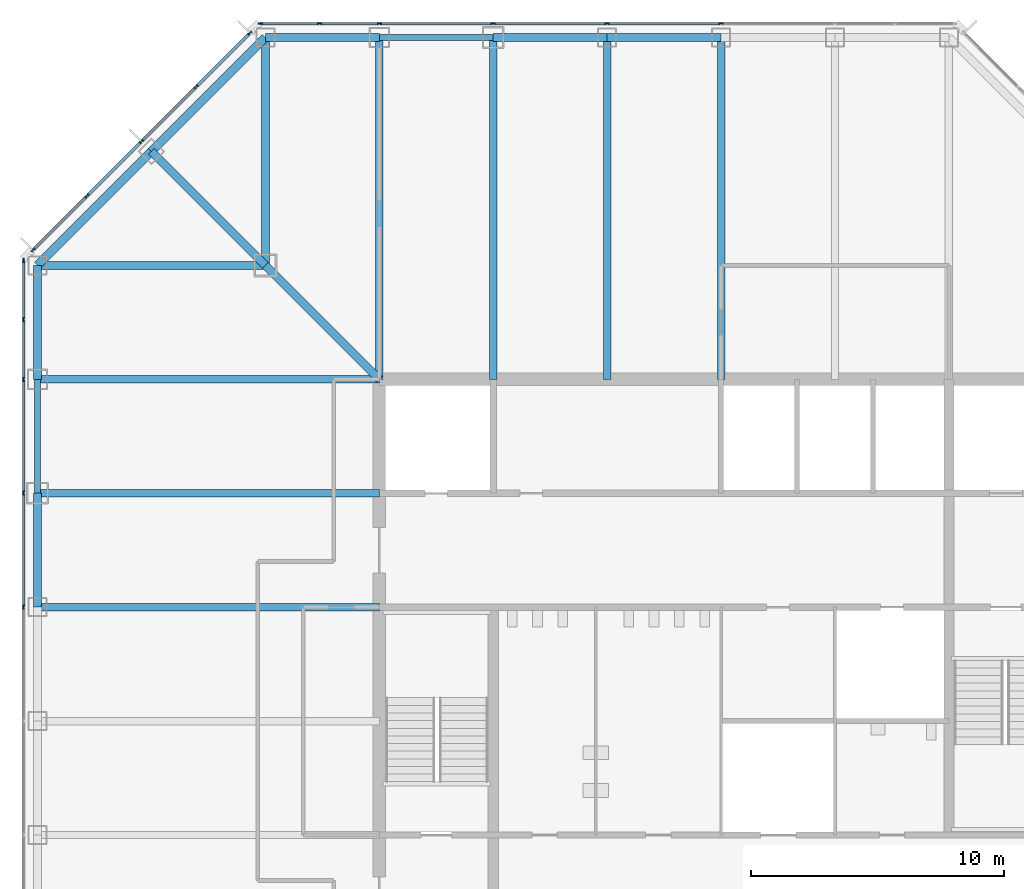
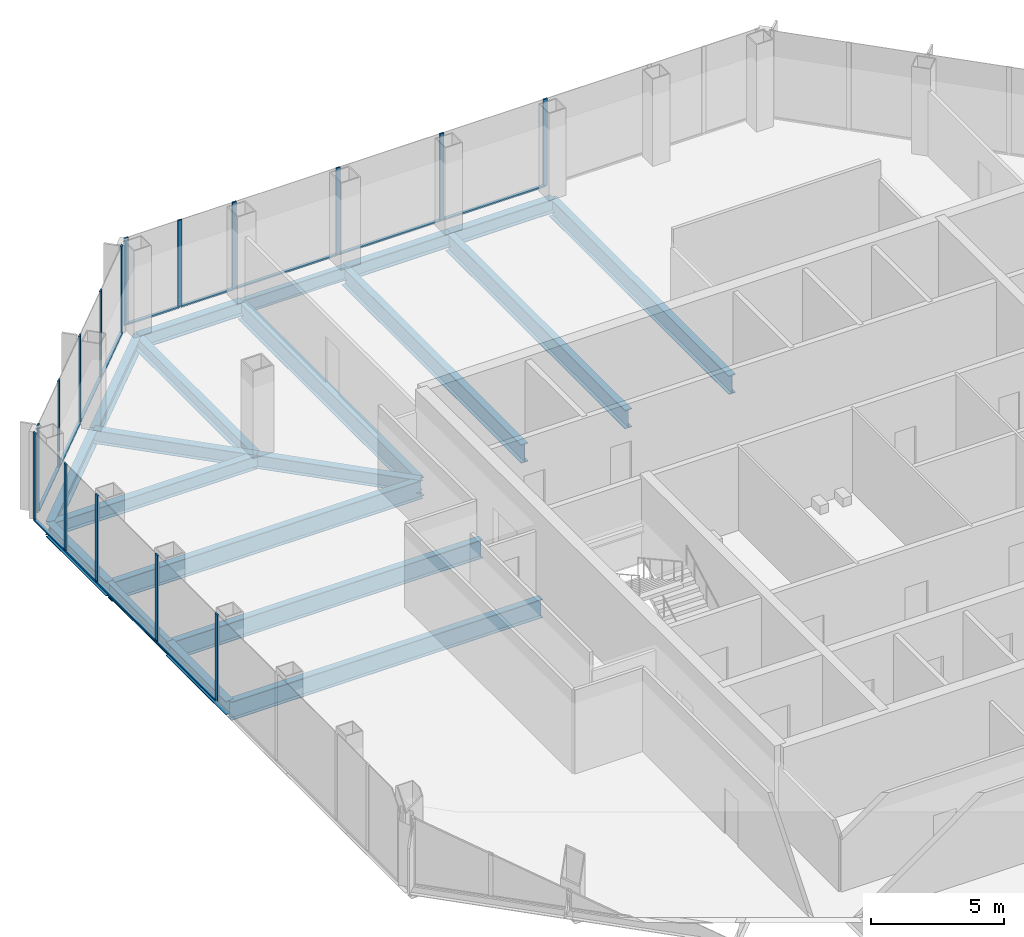
# One storey, part 5 of 12: 29 members, 20 beams, 3 elements without a shape of their own.
"""IFC4 building model written with IfcOpenShell, lengths in metres."""

from ifc_helpers import new_model, si_unit, direction, frame, origin, origin_2d, place, context, subcontext, project, spatial, rectangle, i_section, extrude, material, material_profile, profile_set, type_object, element, aggregate, save


model = new_model("IFC4")

# Units and contexts
model_context = context("Model", 3, precision=1e-05, world=origin(), true_north=direction((0.0, 1.0)))
body_context = subcontext(model_context, "Body", "Model", "MODEL_VIEW")
ifc_project = project(units=[si_unit("LENGTHUNIT", "METRE"), si_unit("AREAUNIT", "SQUARE_METRE"), si_unit("VOLUMEUNIT", "CUBIC_METRE"), si_unit("PLANEANGLEUNIT", "RADIAN"), si_unit("MASSUNIT", "GRAM", prefix="KILO")], contexts=[model_context])

# Site, building, storey
site_placement = place(None, origin())
site = spatial("IfcSite", under=ifc_project, at=site_placement, CompositionType="ELEMENT")
building_placement = place(site_placement, origin())
building = spatial("IfcBuilding", under=site, at=building_placement, Name="Corais Broadcast Tower", CompositionType="ELEMENT")
storey_placement = place(building_placement, frame((0.0, 0.0, 139.60009765625)))
storey = spatial("IfcBuildingStorey", under=building, at=storey_placement, Name="L31", CompositionType="ELEMENT", Elevation=139.60009765625)

# Beams
ifc_material_1 = material(Name="Steel ASTM A572 Grade 50", Category="steel")
ifc_material_profile_1 = material_profile(ifc_material_1, i_section(OverallWidth=0.323974609375, OverallDepth=0.611083984375, WebThickness=0.0126953125, FlangeThickness=0.01904296875, at=origin_2d()), Name="W610x155")
ifc_profile_set_1 = profile_set([ifc_material_profile_1], Name="Steel ASTM A572 Grade 50")
beam_type_1 = type_object("IfcBeamType", Name="Chamfer tie W610x155", PredefinedType="BEAM", material=ifc_profile_set_1)
beam_1_placement = place(storey_placement, frame((4.5, 49.5, -0.465576171875), z_axis=(0.707106781187, -0.707106781187, 0.0), x_axis=(0.707106781187, 0.707106781187, 0.0)))
element("IfcBeam", 1, at=beam_1_placement, inside=storey, type_object=beam_type_1, Name="B5 M/4 to L/5", PredefinedType="BEAM", context=body_context, shape_type="SweptSolid", body=[
    extrude(i_section(OverallWidth=0.323974609375, OverallDepth=0.611083984375, WebThickness=0.0126953125, FlangeThickness=0.01904296875, at=origin_2d()), origin(), (0.0, 0.0, 1.0), 6.364013671875),
])
ifc_material_2 = material(Name="Steel ASTM A572 Grade 50", Category="steel")
ifc_material_profile_2 = material_profile(ifc_material_2, i_section(OverallWidth=0.323974609375, OverallDepth=0.611083984375, WebThickness=0.0126953125, FlangeThickness=0.01904296875, at=origin_2d()), Name="W610x155")
ifc_profile_set_2 = profile_set([ifc_material_profile_2], Name="Steel ASTM A572 Grade 50")
beam_type_2 = type_object("IfcBeamType", Name="Corner diagonal W610x155", PredefinedType="BEAM", material=ifc_profile_set_2)
beam_2_placement = place(storey_placement, frame((9.0, 45.0, -0.465576171875), z_axis=(0.707106781187, -0.707106781187, 0.0), x_axis=(0.707106781187, 0.707106781187, 0.0)))
element("IfcBeam", 2, at=beam_2_placement, inside=storey, type_object=beam_type_2, Name="B6 L/5 to K/6", PredefinedType="BEAM", context=body_context, shape_type="SweptSolid", body=[
    extrude(i_section(OverallWidth=0.323974609375, OverallDepth=0.611083984375, WebThickness=0.0126953125, FlangeThickness=0.01904296875, at=origin_2d()), origin(), (0.0, 0.0, 1.0), 6.364013671875),
])
ifc_material_3 = material(Name="Steel ASTM A572 Grade 50", Category="steel")
ifc_material_profile_3 = material_profile(ifc_material_3, i_section(OverallWidth=0.323974609375, OverallDepth=0.611083984375, WebThickness=0.0126953125, FlangeThickness=0.01904296875, at=origin_2d()), Name="W610x155")
ifc_profile_set_3 = profile_set([ifc_material_profile_3], Name="Steel ASTM A572 Grade 50")
beam_type_3 = type_object("IfcBeamType", Name="Corner girder W610x155", PredefinedType="BEAM", material=ifc_profile_set_3)
for number, where, z_axis, x_axis, name in (
    (3, (0.0, 45.0, -0.465576171875), (1.0, 0.0, 0.0), (0.0, 1.0, 0.0), "B4 L/3 to L/5"),
    (4, (9.0, 54.0, -0.465576171875), (0.0, -1.0, 0.0), (1.0, 0.0, 0.0), "B4 N/5 to L/5"),
):
    element("IfcBeam", number, at=place(storey_placement, frame(where, z_axis=z_axis, x_axis=x_axis)), inside=storey, type_object=beam_type_3, Name=name, PredefinedType="BEAM", context=body_context, shape_type="SweptSolid", body=[
        extrude(i_section(OverallWidth=0.323974609375, OverallDepth=0.611083984375, WebThickness=0.0126953125, FlangeThickness=0.01904296875, at=origin_2d()), origin(), (0.0, 0.0, 1.0), 9.0),
    ])
ifc_material_4 = material(Name="Steel ASTM A572 Grade 50", Category="steel")
ifc_material_profile_4 = material_profile(ifc_material_4, i_section(OverallWidth=0.2939453125, OverallDepth=0.85107421875, WebThickness=0.01611328125, FlangeThickness=0.02685546875, at=origin_2d()), Name="W840x226")
ifc_profile_set_4 = profile_set([ifc_material_profile_4], Name="Steel ASTM A572 Grade 50")
beam_type_4 = type_object("IfcBeamType", Name="Floor beam W840x226", PredefinedType="BEAM", material=ifc_profile_set_4)
for number, where, z_axis, x_axis, name in (
    (5, (0.0, 31.5, -0.585693359375), (1.0, 0.0, 0.0), (0.0, 1.0, 0.0), "B1 H/3 to H/6"),
    (6, (0.0, 36.0, -0.585693359375), (1.0, 0.0, 0.0), (0.0, 1.0, 0.0), "B1 J/3 to J/6"),
    (7, (0.0, 40.5, -0.585693359375), (1.0, 0.0, 0.0), (0.0, 1.0, 0.0), "B1 K/3 to K/6"),
    (8, (13.5, 54.0, -0.585693359375), (0.0, -1.0, 0.0), (1.0, 0.0, 0.0), "B1 N/6 to K/6"),
    (9, (18.0, 54.0, -0.585693359375), (0.0, -1.0, 0.0), (1.0, 0.0, 0.0), "B1 N/7 to K/7"),
    (10, (22.5, 54.0, -0.585693359375), (0.0, -1.0, 0.0), (1.0, 0.0, 0.0), "B1 N/8 to K/8"),
    (11, (27.0, 54.0, -0.585693359375), (0.0, -1.0, 0.0), (1.0, 0.0, 0.0), "B1 N/9 to K/9"),
):
    element("IfcBeam", number, at=place(storey_placement, frame(where, z_axis=z_axis, x_axis=x_axis)), inside=storey, type_object=beam_type_4, Name=name, PredefinedType="BEAM", context=body_context, shape_type="SweptSolid", body=[
        extrude(i_section(OverallWidth=0.2939453125, OverallDepth=0.85107421875, WebThickness=0.01611328125, FlangeThickness=0.02685546875, at=origin_2d()), origin(), (0.0, 0.0, 1.0), 13.5),
    ])

# Curtain wall, members
ifc_material_5 = material(Name="Aluminium and glass", Category="aluminium")
curtain_wall_type = type_object("IfcCurtainWallType", Name="Unitised fritted curtain wall CW2", PredefinedType="NOTDEFINED", material=ifc_material_5)
curtain_wall_1_placement = place(storey_placement, origin())
curtain_wall_1 = element("IfcCurtainWall", 12, at=curtain_wall_1_placement, inside=storey, type_object=curtain_wall_type, Name="CW2 curtain wall L31 2", PredefinedType="NOTDEFINED")
ifc_material_6 = material(Name="Aluminium 6063-T6", Category="aluminium")
ifc_material_profile_5 = material_profile(ifc_material_6, rectangle(XDim=0.06494140625, YDim=0.179931640625, at=origin_2d()), Name="Mullion CW2 65x180")
ifc_profile_set_5 = profile_set([ifc_material_profile_5], Name="Aluminium 6063-T6")
member_type_1 = type_object("IfcMemberType", Name="Mullion CW2 65x180", PredefinedType="MULLION", material=ifc_profile_set_5)
member_1_placement = place(storey_placement, frame((-0.550048828125, 31.5, 0.0), z_axis=(0.0, 0.0, 1.0), x_axis=(-1.0, 0.0, 0.0)))
member_1 = element("IfcMember", 13, at=member_1_placement, type_object=member_type_1, Name="CW2 mullion 5", PredefinedType="MULLION", context=body_context, shape_type="SweptSolid", body=[
    extrude(rectangle(XDim=0.06494140625, YDim=0.179931640625, at=origin_2d()), origin(), (0.0, 0.0, 1.0), 4.0),
])
member_2_placement = place(storey_placement, frame((-0.550048828125, 36.0, 0.0), z_axis=(0.0, 0.0, 1.0), x_axis=(-1.0, 0.0, 0.0)))
member_2 = element("IfcMember", 14, at=member_2_placement, type_object=member_type_1, Name="CW2 mullion 6", PredefinedType="MULLION", context=body_context, shape_type="SweptSolid", body=[
    extrude(rectangle(XDim=0.06494140625, YDim=0.179931640625, at=origin_2d()), origin(), (0.0, 0.0, 1.0), 4.0),
])
member_3_placement = place(storey_placement, frame((-0.550048828125, 40.5, 0.0), z_axis=(0.0, 0.0, 1.0), x_axis=(-1.0, 0.0, 0.0)))
member_3 = element("IfcMember", 15, at=member_3_placement, type_object=member_type_1, Name="CW2 mullion 7", PredefinedType="MULLION", context=body_context, shape_type="SweptSolid", body=[
    extrude(rectangle(XDim=0.06494140625, YDim=0.179931640625, at=origin_2d()), origin(), (0.0, 0.0, 1.0), 4.0),
])
member_4_placement = place(storey_placement, frame((-0.550048828125, 42.864013671875, 0.0), z_axis=(0.0, 0.0, 1.0), x_axis=(-1.0, 0.0, 0.0)))
member_4 = element("IfcMember", 16, at=member_4_placement, type_object=member_type_1, Name="CW2 mullion 8", PredefinedType="MULLION", context=body_context, shape_type="SweptSolid", body=[
    extrude(rectangle(XDim=0.06494140625, YDim=0.179931640625, at=origin_2d()), origin(), (0.0, 0.0, 1.0), 4.0),
])
member_5_placement = place(storey_placement, frame((-0.550048828125, 45.1953125, 0.0), z_axis=(0.0, 0.0, 1.0), x_axis=(-1.0, 0.0, 0.0)))
member_5 = element("IfcMember", 17, at=member_5_placement, type_object=member_type_1, Name="CW2 mullion 9", PredefinedType="MULLION", context=body_context, shape_type="SweptSolid", body=[
    extrude(rectangle(XDim=0.06494140625, YDim=0.179931640625, at=origin_2d()), origin(), (0.0, 0.0, 1.0), 4.0),
])

curtain_wall_2_placement = place(storey_placement, origin())
curtain_wall_2 = element("IfcCurtainWall", 18, at=curtain_wall_2_placement, inside=storey, type_object=curtain_wall_type, Name="CW2 curtain wall L31 3", PredefinedType="NOTDEFINED")
member_6_placement = place(storey_placement, frame((-0.17333984375, 45.6044921875, 0.0), z_axis=(0.0, 0.0, 1.0), x_axis=(-0.707106781187, 0.707106781187, 0.0)))
member_6 = element("IfcMember", 19, at=member_6_placement, type_object=member_type_1, Name="CW2 mullion 1", PredefinedType="MULLION", context=body_context, shape_type="SweptSolid", body=[
    extrude(rectangle(XDim=0.06494140625, YDim=0.179931640625, at=origin_2d()), origin(), (0.0, 0.0, 1.0), 4.0),
])
member_7_placement = place(storey_placement, frame((1.957275390625, 47.735107421875, 0.0), z_axis=(0.0, 0.0, 1.0), x_axis=(-0.707106781187, 0.707106781187, 0.0)))
member_7 = element("IfcMember", 20, at=member_7_placement, type_object=member_type_1, Name="CW2 mullion 2", PredefinedType="MULLION", context=body_context, shape_type="SweptSolid", body=[
    extrude(rectangle(XDim=0.06494140625, YDim=0.179931640625, at=origin_2d()), origin(), (0.0, 0.0, 1.0), 4.0),
])
member_8_placement = place(storey_placement, frame((4.111083984375, 49.888916015625, 0.0), z_axis=(0.0, 0.0, 1.0), x_axis=(-0.707106781187, 0.707106781187, 0.0)))
member_8 = element("IfcMember", 21, at=member_8_placement, type_object=member_type_1, Name="CW2 mullion 3", PredefinedType="MULLION", context=body_context, shape_type="SweptSolid", body=[
    extrude(rectangle(XDim=0.06494140625, YDim=0.179931640625, at=origin_2d()), origin(), (0.0, 0.0, 1.0), 4.0),
])
member_9_placement = place(storey_placement, frame((6.264892578125, 52.042724609375, 0.0), z_axis=(0.0, 0.0, 1.0), x_axis=(-0.707106781187, 0.707106781187, 0.0)))
member_9 = element("IfcMember", 22, at=member_9_placement, type_object=member_type_1, Name="CW2 mullion 4", PredefinedType="MULLION", context=body_context, shape_type="SweptSolid", body=[
    extrude(rectangle(XDim=0.06494140625, YDim=0.179931640625, at=origin_2d()), origin(), (0.0, 0.0, 1.0), 4.0),
])
member_10_placement = place(storey_placement, frame((8.3955078125, 54.17333984375, 0.0), z_axis=(0.0, 0.0, 1.0), x_axis=(-0.707106781187, 0.707106781187, 0.0)))
member_10 = element("IfcMember", 23, at=member_10_placement, type_object=member_type_1, Name="CW2 mullion 5", PredefinedType="MULLION", context=body_context, shape_type="SweptSolid", body=[
    extrude(rectangle(XDim=0.06494140625, YDim=0.179931640625, at=origin_2d()), origin(), (0.0, 0.0, 1.0), 4.0),
])

curtain_wall_3_placement = place(storey_placement, origin())
curtain_wall_3 = element("IfcCurtainWall", 24, at=curtain_wall_3_placement, inside=storey, type_object=curtain_wall_type, Name="CW2 curtain wall L31 4", PredefinedType="NOTDEFINED")
member_11_placement = place(storey_placement, frame((8.8046875, 54.550048828125, 0.0), z_axis=(0.0, 0.0, 1.0), x_axis=(0.0, 1.0, 0.0)))
member_11 = element("IfcMember", 25, at=member_11_placement, type_object=member_type_1, Name="CW2 mullion 1", PredefinedType="MULLION", context=body_context, shape_type="SweptSolid", body=[
    extrude(rectangle(XDim=0.06494140625, YDim=0.179931640625, at=origin_2d()), origin(), (0.0, 0.0, 1.0), 4.0),
])
member_12_placement = place(storey_placement, frame((11.135986328125, 54.550048828125, 0.0), z_axis=(0.0, 0.0, 1.0), x_axis=(0.0, 1.0, 0.0)))
member_12 = element("IfcMember", 26, at=member_12_placement, type_object=member_type_1, Name="CW2 mullion 2", PredefinedType="MULLION", context=body_context, shape_type="SweptSolid", body=[
    extrude(rectangle(XDim=0.06494140625, YDim=0.179931640625, at=origin_2d()), origin(), (0.0, 0.0, 1.0), 4.0),
])
member_13_placement = place(storey_placement, frame((13.5, 54.550048828125, 0.0), z_axis=(0.0, 0.0, 1.0), x_axis=(0.0, 1.0, 0.0)))
member_13 = element("IfcMember", 27, at=member_13_placement, type_object=member_type_1, Name="CW2 mullion 3", PredefinedType="MULLION", context=body_context, shape_type="SweptSolid", body=[
    extrude(rectangle(XDim=0.06494140625, YDim=0.179931640625, at=origin_2d()), origin(), (0.0, 0.0, 1.0), 4.0),
])
member_14_placement = place(storey_placement, frame((18.0, 54.550048828125, 0.0), z_axis=(0.0, 0.0, 1.0), x_axis=(0.0, 1.0, 0.0)))
member_14 = element("IfcMember", 28, at=member_14_placement, type_object=member_type_1, Name="CW2 mullion 4", PredefinedType="MULLION", context=body_context, shape_type="SweptSolid", body=[
    extrude(rectangle(XDim=0.06494140625, YDim=0.179931640625, at=origin_2d()), origin(), (0.0, 0.0, 1.0), 4.0),
])
member_15_placement = place(storey_placement, frame((22.5, 54.550048828125, 0.0), z_axis=(0.0, 0.0, 1.0), x_axis=(0.0, 1.0, 0.0)))
member_15 = element("IfcMember", 29, at=member_15_placement, type_object=member_type_1, Name="CW2 mullion 5", PredefinedType="MULLION", context=body_context, shape_type="SweptSolid", body=[
    extrude(rectangle(XDim=0.06494140625, YDim=0.179931640625, at=origin_2d()), origin(), (0.0, 0.0, 1.0), 4.0),
])
member_16_placement = place(storey_placement, frame((27.0, 54.550048828125, 0.0), z_axis=(0.0, 0.0, 1.0), x_axis=(0.0, 1.0, 0.0)))
member_16 = element("IfcMember", 30, at=member_16_placement, type_object=member_type_1, Name="CW2 mullion 6", PredefinedType="MULLION", context=body_context, shape_type="SweptSolid", body=[
    extrude(rectangle(XDim=0.06494140625, YDim=0.179931640625, at=origin_2d()), origin(), (0.0, 0.0, 1.0), 4.0),
])

# Beams
ifc_material_7 = material(Name="Steel ASTM A572 Grade 50", Category="steel")
ifc_material_profile_6 = material_profile(ifc_material_7, i_section(OverallWidth=0.22900390625, OverallDepth=0.612060546875, WebThickness=0.011962890625, FlangeThickness=0.01953125, at=origin_2d()), Name="W610x125")
ifc_profile_set_6 = profile_set([ifc_material_profile_6], Name="Steel ASTM A572 Grade 50")
beam_type_5 = type_object("IfcBeamType", Name="Pinned spandrel W610x125", PredefinedType="BEAM", material=ifc_profile_set_6)
for number, where, z_axis, x_axis, name in (
    (31, (0.0, 40.5, -0.466064453125), (0.0, -1.0, 0.0), (1.0, 0.0, 0.0), "SB7 K/3 to J/3"),
    (32, (18.0, 54.0, -0.466064453125), (-1.0, 0.0, 0.0), (0.0, -1.0, 0.0), "SB7 N/7 to N/6"),
):
    element("IfcBeam", number, at=place(storey_placement, frame(where, z_axis=z_axis, x_axis=x_axis)), inside=storey, type_object=beam_type_5, Name=name, PredefinedType="BEAM", context=body_context, shape_type="SweptSolid", body=[
        extrude(i_section(OverallWidth=0.22900390625, OverallDepth=0.612060546875, WebThickness=0.011962890625, FlangeThickness=0.01953125, at=origin_2d()), origin(), (0.0, 0.0, 1.0), 4.5),
    ])
ifc_material_8 = material(Name="Steel ASTM A572 Grade 50", Category="steel")
ifc_material_profile_7 = material_profile(ifc_material_8, i_section(OverallWidth=0.3291015625, OverallDepth=0.635009765625, WebThickness=0.017822265625, FlangeThickness=0.031005859375, at=origin_2d()), Name="W610x241")
ifc_profile_set_7 = profile_set([ifc_material_profile_7], Name="Steel ASTM A572 Grade 50")
beam_type_6 = type_object("IfcBeamType", Name="Spandrel W610x241", PredefinedType="BEAM", material=ifc_profile_set_7)
for number, where, z_axis, x_axis, name in (
    (33, (0.0, 36.0, -0.4775390625), (0.0, -1.0, 0.0), (1.0, 0.0, 0.0), "SB1 J/3 to H/3"),
    (34, (0.0, 45.0, -0.4775390625), (0.0, -1.0, 0.0), (1.0, 0.0, 0.0), "SB1 L/3 to K/3"),
    (35, (13.5, 54.0, -0.4775390625), (-1.0, 0.0, 0.0), (0.0, -1.0, 0.0), "SB1 N/6 to N/5"),
    (36, (22.5, 54.0, -0.4775390625), (-1.0, 0.0, 0.0), (0.0, -1.0, 0.0), "SB1 N/8 to N/7"),
    (37, (27.0, 54.0, -0.4775390625), (-1.0, 0.0, 0.0), (0.0, -1.0, 0.0), "SB1 N/9 to N/8"),
):
    element("IfcBeam", number, at=place(storey_placement, frame(where, z_axis=z_axis, x_axis=x_axis)), inside=storey, type_object=beam_type_6, Name=name, PredefinedType="BEAM", context=body_context, shape_type="SweptSolid", body=[
        extrude(i_section(OverallWidth=0.3291015625, OverallDepth=0.635009765625, WebThickness=0.017822265625, FlangeThickness=0.031005859375, at=origin_2d()), origin(), (0.0, 0.0, 1.0), 4.5),
    ])
for number, where, z_axis, x_axis, name in (
    (38, (4.5, 49.5, -0.4775390625), (-0.707106781187, -0.707106781187, 0.0), (0.707106781187, -0.707106781187, 0.0), "SB1 M/4 to L/3"),
    (39, (9.0, 54.0, -0.4775390625), (-0.707106781187, -0.707106781187, 0.0), (0.707106781187, -0.707106781187, 0.0), "SB1 N/5 to M/4"),
):
    element("IfcBeam", number, at=place(storey_placement, frame(where, z_axis=z_axis, x_axis=x_axis)), inside=storey, type_object=beam_type_6, Name=name, PredefinedType="BEAM", context=body_context, shape_type="SweptSolid", body=[
        extrude(i_section(OverallWidth=0.3291015625, OverallDepth=0.635009765625, WebThickness=0.017822265625, FlangeThickness=0.031005859375, at=origin_2d()), origin(), (0.0, 0.0, 1.0), 6.364013671875),
    ])

# Member
ifc_material_9 = material(Name="Aluminium 6063-T6", Category="aluminium")
ifc_material_profile_8 = material_profile(ifc_material_9, rectangle(XDim=0.1298828125, YDim=0.06494140625, at=origin_2d()), Name="Transom CW2 65x130")
ifc_profile_set_8 = profile_set([ifc_material_profile_8], Name="Aluminium 6063-T6")
member_type_2 = type_object("IfcMemberType", Name="Transom CW2 65x130", PredefinedType="USERDEFINED", material=ifc_profile_set_8)
member_17_placement = place(storey_placement, frame((-0.550048828125, 31.532470703125, 0.032470703125), z_axis=(0.0, 1.0, 0.0), x_axis=(-1.0, 0.0, 0.0)))
member_17 = element("IfcMember", 40, at=member_17_placement, type_object=member_type_2, Name="CW2 transom 5.1", ObjectType="TRANSOM", PredefinedType="USERDEFINED", context=body_context, shape_type="SweptSolid", body=[
    extrude(rectangle(XDim=0.1298828125, YDim=0.06494140625, at=origin_2d()), origin(), (0.0, 0.0, 1.0), 4.43505859375),
])

member_18_placement = place(storey_placement, frame((-0.550048828125, 36.032470703125, 0.032470703125), z_axis=(0.0, 1.0, 0.0), x_axis=(-1.0, 0.0, 0.0)))
member_18 = element("IfcMember", 41, at=member_18_placement, type_object=member_type_2, Name="CW2 transom 6.1", ObjectType="TRANSOM", PredefinedType="USERDEFINED", context=body_context, shape_type="SweptSolid", body=[
    extrude(rectangle(XDim=0.1298828125, YDim=0.06494140625, at=origin_2d()), origin(), (0.0, 0.0, 1.0), 4.43505859375),
])

member_19_placement = place(storey_placement, frame((-0.550048828125, 40.532470703125, 0.032470703125), z_axis=(0.0, 1.0, 0.0), x_axis=(-1.0, 0.0, 0.0)))
member_19 = element("IfcMember", 42, at=member_19_placement, type_object=member_type_2, Name="CW2 transom 7.1", ObjectType="TRANSOM", PredefinedType="USERDEFINED", context=body_context, shape_type="SweptSolid", body=[
    extrude(rectangle(XDim=0.1298828125, YDim=0.06494140625, at=origin_2d()), origin(), (0.0, 0.0, 1.0), 2.298828125),
])

member_20_placement = place(storey_placement, frame((-0.550048828125, 42.896484375, 0.032470703125), z_axis=(0.0, 1.0, 0.0), x_axis=(-1.0, 0.0, 0.0)))
member_20 = element("IfcMember", 43, at=member_20_placement, type_object=member_type_2, Name="CW2 transom 8.1", ObjectType="TRANSOM", PredefinedType="USERDEFINED", context=body_context, shape_type="SweptSolid", body=[
    extrude(rectangle(XDim=0.1298828125, YDim=0.06494140625, at=origin_2d()), origin(), (0.0, 0.0, 1.0), 2.266357421875),
])

aggregate(curtain_wall_1, [member_1, member_2, member_3, member_4, member_5, member_17, member_18, member_19, member_20])

member_21_placement = place(storey_placement, frame((-0.150390625, 45.62744140625, 0.032470703125), z_axis=(0.707106781187, 0.707106781187, 0.0), x_axis=(-0.707106781187, 0.707106781187, 0.0)))
member_21 = element("IfcMember", 44, at=member_21_placement, type_object=member_type_2, Name="CW2 transom 1.1", ObjectType="TRANSOM", PredefinedType="USERDEFINED", context=body_context, shape_type="SweptSolid", body=[
    extrude(rectangle(XDim=0.1298828125, YDim=0.06494140625, at=origin_2d()), origin(), (0.0, 0.0, 1.0), 2.9482421875),
])

member_22_placement = place(storey_placement, frame((1.980224609375, 47.758056640625, 0.032470703125), z_axis=(0.707106781187, 0.707106781187, 0.0), x_axis=(-0.707106781187, 0.707106781187, 0.0)))
member_22 = element("IfcMember", 45, at=member_22_placement, type_object=member_type_2, Name="CW2 transom 2.1", ObjectType="TRANSOM", PredefinedType="USERDEFINED", context=body_context, shape_type="SweptSolid", body=[
    extrude(rectangle(XDim=0.1298828125, YDim=0.06494140625, at=origin_2d()), origin(), (0.0, 0.0, 1.0), 2.98095703125),
])

member_23_placement = place(storey_placement, frame((4.134033203125, 49.911865234375, 0.032470703125), z_axis=(0.707106781187, 0.707106781187, 0.0), x_axis=(-0.707106781187, 0.707106781187, 0.0)))
member_23 = element("IfcMember", 46, at=member_23_placement, type_object=member_type_2, Name="CW2 transom 3.1", ObjectType="TRANSOM", PredefinedType="USERDEFINED", context=body_context, shape_type="SweptSolid", body=[
    extrude(rectangle(XDim=0.1298828125, YDim=0.06494140625, at=origin_2d()), origin(), (0.0, 0.0, 1.0), 2.98095703125),
])

member_24_placement = place(storey_placement, frame((6.287841796875, 52.065673828125, 0.032470703125), z_axis=(0.707106781187, 0.707106781187, 0.0), x_axis=(-0.707106781187, 0.707106781187, 0.0)))
member_24 = element("IfcMember", 47, at=member_24_placement, type_object=member_type_2, Name="CW2 transom 4.1", ObjectType="TRANSOM", PredefinedType="USERDEFINED", context=body_context, shape_type="SweptSolid", body=[
    extrude(rectangle(XDim=0.1298828125, YDim=0.06494140625, at=origin_2d()), origin(), (0.0, 0.0, 1.0), 2.9482421875),
])

aggregate(curtain_wall_2, [member_6, member_7, member_8, member_9, member_10, member_21, member_22, member_23, member_24])

member_25_placement = place(storey_placement, frame((8.837158203125, 54.550048828125, 0.032470703125), z_axis=(1.0, 0.0, 0.0), x_axis=(0.0, 1.0, 0.0)))
member_25 = element("IfcMember", 48, at=member_25_placement, type_object=member_type_2, Name="CW2 transom 1.1", ObjectType="TRANSOM", PredefinedType="USERDEFINED", context=body_context, shape_type="SweptSolid", body=[
    extrude(rectangle(XDim=0.1298828125, YDim=0.06494140625, at=origin_2d()), origin(), (0.0, 0.0, 1.0), 2.266357421875),
])

member_26_placement = place(storey_placement, frame((11.168701171875, 54.550048828125, 0.032470703125), z_axis=(1.0, 0.0, 0.0), x_axis=(0.0, 1.0, 0.0)))
member_26 = element("IfcMember", 49, at=member_26_placement, type_object=member_type_2, Name="CW2 transom 2.1", ObjectType="TRANSOM", PredefinedType="USERDEFINED", context=body_context, shape_type="SweptSolid", body=[
    extrude(rectangle(XDim=0.1298828125, YDim=0.06494140625, at=origin_2d()), origin(), (0.0, 0.0, 1.0), 2.298828125),
])

member_27_placement = place(storey_placement, frame((13.532470703125, 54.550048828125, 0.032470703125), z_axis=(1.0, 0.0, 0.0), x_axis=(0.0, 1.0, 0.0)))
member_27 = element("IfcMember", 50, at=member_27_placement, type_object=member_type_2, Name="CW2 transom 3.1", ObjectType="TRANSOM", PredefinedType="USERDEFINED", context=body_context, shape_type="SweptSolid", body=[
    extrude(rectangle(XDim=0.1298828125, YDim=0.06494140625, at=origin_2d()), origin(), (0.0, 0.0, 1.0), 4.43505859375),
])

member_28_placement = place(storey_placement, frame((18.032470703125, 54.550048828125, 0.032470703125), z_axis=(1.0, 0.0, 0.0), x_axis=(0.0, 1.0, 0.0)))
member_28 = element("IfcMember", 51, at=member_28_placement, type_object=member_type_2, Name="CW2 transom 4.1", ObjectType="TRANSOM", PredefinedType="USERDEFINED", context=body_context, shape_type="SweptSolid", body=[
    extrude(rectangle(XDim=0.1298828125, YDim=0.06494140625, at=origin_2d()), origin(), (0.0, 0.0, 1.0), 4.43505859375),
])

member_29_placement = place(storey_placement, frame((22.532470703125, 54.550048828125, 0.032470703125), z_axis=(1.0, 0.0, 0.0), x_axis=(0.0, 1.0, 0.0)))
member_29 = element("IfcMember", 52, at=member_29_placement, type_object=member_type_2, Name="CW2 transom 5.1", ObjectType="TRANSOM", PredefinedType="USERDEFINED", context=body_context, shape_type="SweptSolid", body=[
    extrude(rectangle(XDim=0.1298828125, YDim=0.06494140625, at=origin_2d()), origin(), (0.0, 0.0, 1.0), 4.43505859375),
])

aggregate(curtain_wall_3, [member_11, member_12, member_13, member_14, member_15, member_16, member_25, member_26, member_27, member_28, member_29])

save(model, "model.ifc")
